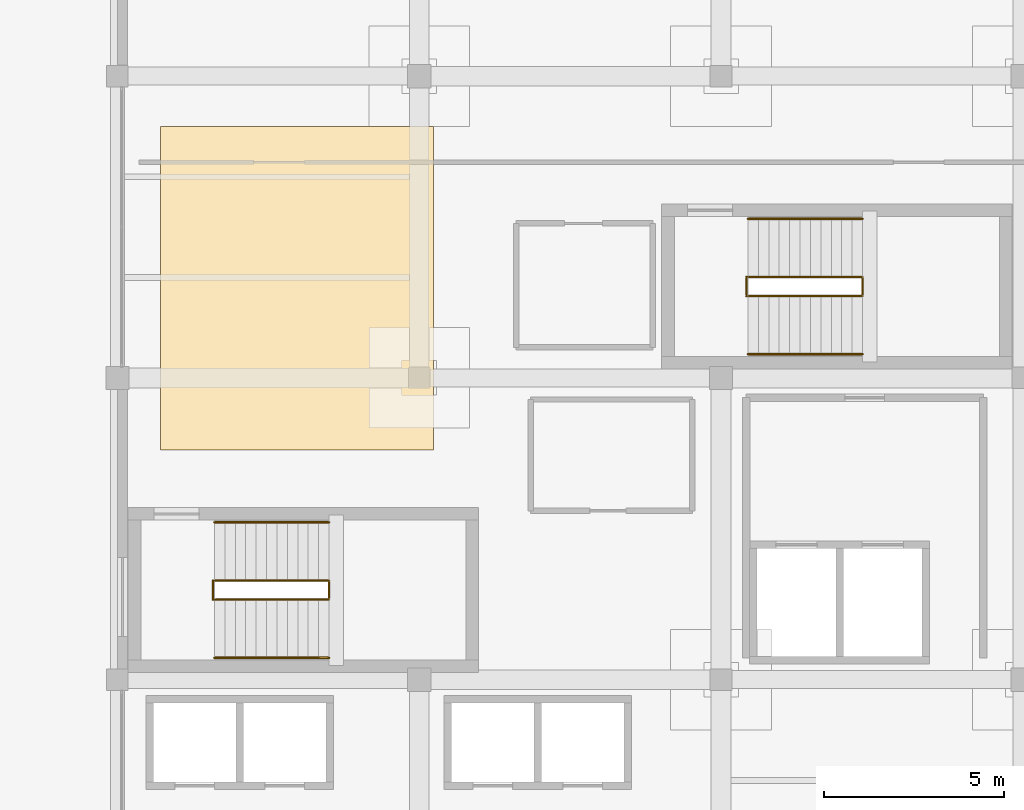
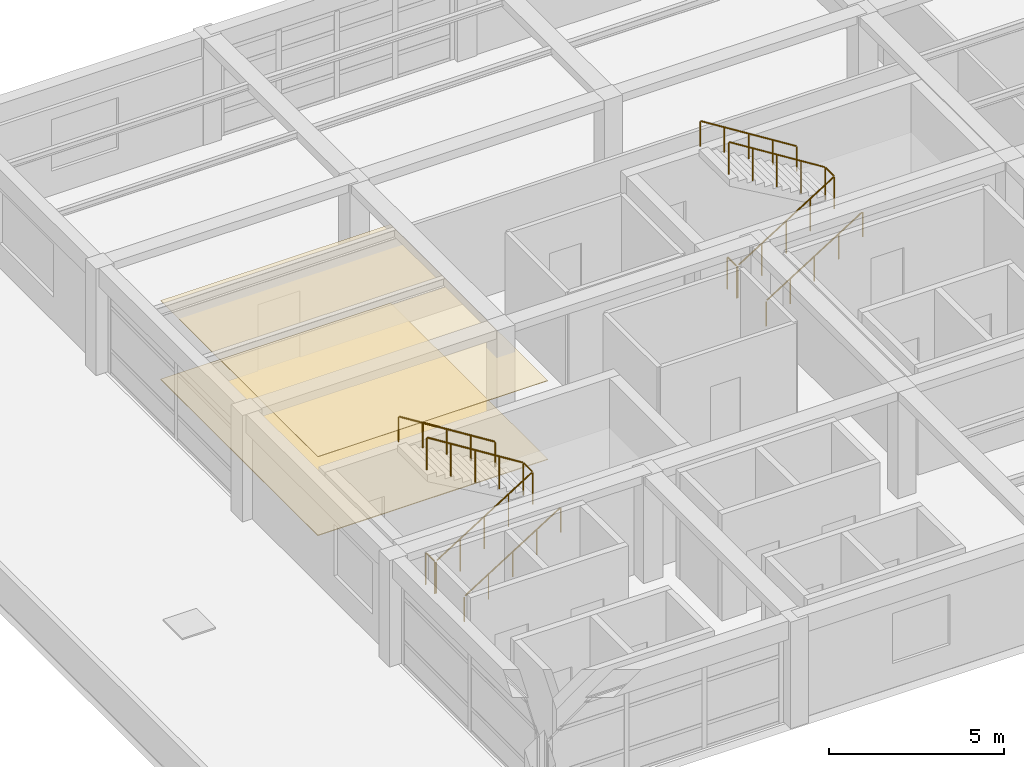
# One storey, part 26 of 26: 8 railings, 2 coverings.
"""IFC4 building model written with IfcOpenShell, lengths in metres."""

from ifc_helpers import new_model, si_unit, direction, frame, origin, origin_2d, place, context, subcontext, project, spatial, polyline, circle, outline, extrude, material, layer, layer_set, type_object, element, save


model = new_model("IFC4")

# Units and contexts
model_context = context("Model", 3, precision=1e-05, world=origin(), true_north=direction((0.0, 1.0)))
body_context = subcontext(model_context, "Body", "Model", "MODEL_VIEW")
ifc_project = project(units=[si_unit("LENGTHUNIT", "METRE"), si_unit("AREAUNIT", "SQUARE_METRE"), si_unit("VOLUMEUNIT", "CUBIC_METRE"), si_unit("PLANEANGLEUNIT", "RADIAN"), si_unit("MASSUNIT", "GRAM", prefix="KILO")], contexts=[model_context])

# Site, building, storey
site_placement = place(None, origin())
site = spatial("IfcSite", under=ifc_project, at=site_placement, CompositionType="ELEMENT")
building_placement = place(site_placement, origin())
building = spatial("IfcBuilding", under=site, at=building_placement, Name="Almacenes y Pasaje Nevantli", CompositionType="ELEMENT")
storey_placement = place(building_placement, frame((0.0, 0.0, 42.699951171875)))
storey = spatial("IfcBuildingStorey", under=building, at=storey_placement, Name="L10", CompositionType="ELEMENT", Elevation=42.699951171875)

# Coverings
ifc_material_1 = material(Name="Perforated Acoustic Mineral Fiber Ceiling", Category="gypsum")
ifc_layer_1 = layer(ifc_material_1, 0.02001953125)
ifc_layer_set_1 = layer_set([ifc_layer_1], Name="Perforated Acoustic Mineral Fiber Ceiling")
covering_type_1 = type_object("IfcCoveringType", Name="COV-CEIL-ACU", PredefinedType="CEILING", material=ifc_layer_set_1)
covering_1_placement = place(storey_placement, frame((0.0, 0.0, 2.75)))
element("IfcCovering", 1, at=covering_1_placement, inside=storey, type_object=covering_type_1, Name="L10 Suspended Acoustic Ceiling Panel", PredefinedType="CEILING", context=body_context, shape_type="SweptSolid", body=[
    extrude(outline(polyline([(118.800048828125, 82.0), (126.39990234375, 82.0), (126.39990234375, 91.0), (118.800048828125, 91.0), (118.800048828125, 82.0)])), origin(), (0.0, 0.0, 1.0), 0.02001953125),
])
ifc_material_2 = material(Name="Polished Toluca Stone Terrazzo Flooring", Category="masonry")
ifc_layer_2 = layer(ifc_material_2, 0.02490234375)
ifc_layer_set_2 = layer_set([ifc_layer_2], Name="Polished Toluca Stone Terrazzo Flooring")
covering_type_2 = type_object("IfcCoveringType", Name="COV-FLR-TERRAZZO", PredefinedType="FLOORING", material=ifc_layer_set_2)
covering_2_placement = place(storey_placement, origin())
element("IfcCovering", 2, at=covering_2_placement, inside=storey, type_object=covering_type_2, Name="L10 Polished Stone Terrazzo Floor Finish", PredefinedType="FLOORING", context=body_context, shape_type="SweptSolid", body=[
    extrude(outline(polyline([(118.800048828125, 82.0), (126.39990234375, 82.0), (126.39990234375, 91.0), (118.800048828125, 91.0), (118.800048828125, 82.0)])), origin(), (0.0, 0.0, 1.0), 0.025146484375),
])

# Railings
ifc_material_3 = material(Name="Brushed Stainless Steel and Tempered Safety Glass", Category="steel")
railing_type_1 = type_object("IfcRailingType", Name="RL-GUARD-1100", PredefinedType="BALUSTRADE", material=ifc_material_3)
railing_1_placement = place(storey_placement, frame((120.300048828125, 77.830078125, 0.0)))
element("IfcRailing", 3, at=railing_1_placement, inside=storey, type_object=railing_type_1, Name="L10 Stair ST-01 Inner Well Guard Balustrade", PredefinedType="BALUSTRADE", context=body_context, shape_type="SweptSolid", body=[
    extrude(circle(Radius=0.02392578125, at=origin_2d()), frame((0.025390625, 0.0, 1.141845703125), z_axis=(0.847247016309, 0.0, 0.531199108955), x_axis=(0.0, 1.0, 0.0)), (0.0, 0.0, 1.0), 3.705078125),
    extrude(circle(Radius=0.02392578125, at=origin_2d()), frame((3.18994140625, 0.030029296875, 3.1259765625), z_axis=(0.0, 1.0, 0.0), x_axis=(-1.0, 0.0, 0.0)), (0.0, 0.0, 1.0), 0.469970703125),
    extrude(circle(Radius=0.02392578125, at=origin_2d()), frame((3.16455078125, 0.530029296875, 3.141845703125), z_axis=(-0.847247016309, 0.0, 0.531199108955), x_axis=(0.0, -1.0, 0.0)), (0.0, 0.0, 1.0), 3.705078125),
    extrude(circle(Radius=0.02099609375, at=origin_2d()), origin(), (0.0, 0.0, 1.0), 1.096923828125),
    extrude(circle(Radius=0.02099609375, at=origin_2d()), frame((0.79736328125, 0.0, 0.5)), (0.0, 0.0, 1.0), 1.096923828125),
    extrude(circle(Radius=0.02099609375, at=origin_2d()), frame((1.594970703125, 0.0, 1.0)), (0.0, 0.0, 1.0), 1.096923828125),
    extrude(circle(Radius=0.02099609375, at=origin_2d()), frame((2.392578125, 0.0, 1.5)), (0.0, 0.0, 1.0), 1.096923828125),
    extrude(circle(Radius=0.02099609375, at=origin_2d()), frame((3.18994140625, 0.0, 2.0)), (0.0, 0.0, 1.0), 1.096923828125),
    extrude(circle(Radius=0.02099609375, at=origin_2d()), frame((3.18994140625, 0.530029296875, 2.0)), (0.0, 0.0, 1.0), 1.096923828125),
    extrude(circle(Radius=0.02099609375, at=origin_2d()), frame((2.392578125, 0.530029296875, 2.5)), (0.0, 0.0, 1.0), 1.096923828125),
    extrude(circle(Radius=0.02099609375, at=origin_2d()), frame((1.594970703125, 0.530029296875, 3.0)), (0.0, 0.0, 1.0), 1.096923828125),
    extrude(circle(Radius=0.02099609375, at=origin_2d()), frame((0.79736328125, 0.530029296875, 3.5)), (0.0, 0.0, 1.0), 1.096923828125),
    extrude(circle(Radius=0.02099609375, at=origin_2d()), frame((0.0, 0.530029296875, 4.0)), (0.0, 0.0, 1.0), 1.096923828125),
])
railing_2_placement = place(storey_placement, frame((120.260009765625, 77.830078125, 0.0)))
element("IfcRailing", 4, at=railing_2_placement, inside=storey, type_object=railing_type_1, Name="L10 Stair ST-01 Landing Well Slot Guard", PredefinedType="BALUSTRADE", context=body_context, shape_type="SweptSolid", body=[
    extrude(circle(Radius=0.02392578125, at=origin_2d()), frame((0.0, 0.030029296875, 1.1259765625), z_axis=(0.0, 1.0, 0.0), x_axis=(-1.0, 0.0, 0.0)), (0.0, 0.0, 1.0), 0.469970703125),
    extrude(circle(Radius=0.02099609375, at=origin_2d()), origin(), (0.0, 0.0, 1.0), 1.096923828125),
    extrude(circle(Radius=0.02099609375, at=origin_2d()), frame((0.0, 0.530029296875, 0.0)), (0.0, 0.0, 1.0), 1.096923828125),
])
railing_3_placement = place(storey_placement, frame((135.14990234375, 86.280029296875, 0.0)))
element("IfcRailing", 5, at=railing_3_placement, inside=storey, type_object=railing_type_1, Name="L10 Stair ST-02 Inner Well Guard Balustrade", PredefinedType="BALUSTRADE", context=body_context, shape_type="SweptSolid", body=[
    extrude(circle(Radius=0.02392578125, at=origin_2d()), frame((0.025390625, 0.0, 1.141845703125), z_axis=(0.847265311894, 0.0, 0.531169926918), x_axis=(0.0, 1.0, 0.0)), (0.0, 0.0, 1.0), 3.705322265625),
    extrude(circle(Radius=0.02392578125, at=origin_2d()), frame((3.190185546875, 0.030029296875, 3.1259765625), z_axis=(0.0, 1.0, 0.0), x_axis=(-1.0, 0.0, 0.0)), (0.0, 0.0, 1.0), 0.469970703125),
    extrude(circle(Radius=0.02392578125, at=origin_2d()), frame((3.164794921875, 0.530029296875, 3.141845703125), z_axis=(-0.847265311894, 0.0, 0.531169926918), x_axis=(0.0, -1.0, 0.0)), (0.0, 0.0, 1.0), 3.705322265625),
    extrude(circle(Radius=0.02099609375, at=origin_2d()), origin(), (0.0, 0.0, 1.0), 1.096923828125),
    extrude(circle(Radius=0.02099609375, at=origin_2d()), frame((0.797607421875, 0.0, 0.5)), (0.0, 0.0, 1.0), 1.096923828125),
    extrude(circle(Radius=0.02099609375, at=origin_2d()), frame((1.59521484375, 0.0, 1.0)), (0.0, 0.0, 1.0), 1.096923828125),
    extrude(circle(Radius=0.02099609375, at=origin_2d()), frame((2.392578125, 0.0, 1.5)), (0.0, 0.0, 1.0), 1.096923828125),
    extrude(circle(Radius=0.02099609375, at=origin_2d()), frame((3.190185546875, 0.0, 2.0)), (0.0, 0.0, 1.0), 1.096923828125),
    extrude(circle(Radius=0.02099609375, at=origin_2d()), frame((3.190185546875, 0.530029296875, 2.0)), (0.0, 0.0, 1.0), 1.096923828125),
    extrude(circle(Radius=0.02099609375, at=origin_2d()), frame((2.392578125, 0.530029296875, 2.5)), (0.0, 0.0, 1.0), 1.096923828125),
    extrude(circle(Radius=0.02099609375, at=origin_2d()), frame((1.59521484375, 0.530029296875, 3.0)), (0.0, 0.0, 1.0), 1.096923828125),
    extrude(circle(Radius=0.02099609375, at=origin_2d()), frame((0.797607421875, 0.530029296875, 3.5)), (0.0, 0.0, 1.0), 1.096923828125),
    extrude(circle(Radius=0.02099609375, at=origin_2d()), frame((0.0, 0.530029296875, 4.0)), (0.0, 0.0, 1.0), 1.096923828125),
])
railing_4_placement = place(storey_placement, frame((135.110107421875, 86.280029296875, 0.0)))
element("IfcRailing", 6, at=railing_4_placement, inside=storey, type_object=railing_type_1, Name="L10 Stair ST-02 Landing Well Slot Guard", PredefinedType="BALUSTRADE", context=body_context, shape_type="SweptSolid", body=[
    extrude(circle(Radius=0.02392578125, at=origin_2d()), frame((0.0, 0.030029296875, 1.1259765625), z_axis=(0.0, 1.0, 0.0), x_axis=(-1.0, 0.0, 0.0)), (0.0, 0.0, 1.0), 0.469970703125),
    extrude(circle(Radius=0.02099609375, at=origin_2d()), origin(), (0.0, 0.0, 1.0), 1.096923828125),
    extrude(circle(Radius=0.02099609375, at=origin_2d()), frame((0.0, 0.530029296875, 0.0)), (0.0, 0.0, 1.0), 1.096923828125),
])
ifc_material_4 = material(Name="Brushed Stainless Steel Tube", Category="steel")
railing_type_2 = type_object("IfcRailingType", Name="RL-HANDRAIL-900", PredefinedType="HANDRAIL", material=ifc_material_4)
railing_5_placement = place(storey_placement, frame((120.300048828125, 76.2099609375, 0.0)))
element("IfcRailing", 7, at=railing_5_placement, inside=storey, type_object=railing_type_2, Name="L10 Stair ST-01 Lower Flight Handrail", PredefinedType="HANDRAIL", context=body_context, shape_type="SweptSolid", body=[
    extrude(circle(Radius=0.02392578125, at=origin_2d()), frame((0.025390625, 0.0, 0.891845703125), z_axis=(0.847247016309, 0.0, 0.531199108955), x_axis=(0.0, 1.0, 0.0)), (0.0, 0.0, 1.0), 3.705078125),
    extrude(circle(Radius=0.02099609375, at=origin_2d()), origin(), (0.0, 0.0, 1.0), 0.846923828125),
    extrude(circle(Radius=0.02099609375, at=origin_2d()), frame((0.79736328125, 0.0, 0.5)), (0.0, 0.0, 1.0), 0.846923828125),
    extrude(circle(Radius=0.02099609375, at=origin_2d()), frame((1.594970703125, 0.0, 1.0)), (0.0, 0.0, 1.0), 0.846923828125),
    extrude(circle(Radius=0.02099609375, at=origin_2d()), frame((2.392578125, 0.0, 1.5)), (0.0, 0.0, 1.0), 0.846923828125),
    extrude(circle(Radius=0.02099609375, at=origin_2d()), frame((3.18994140625, 0.0, 2.0)), (0.0, 0.0, 1.0), 0.846923828125),
])
railing_6_placement = place(storey_placement, frame((123.489990234375, 79.97998046875, 2.0)))
element("IfcRailing", 8, at=railing_6_placement, inside=storey, type_object=railing_type_2, Name="L10 Stair ST-01 Upper Flight Handrail", PredefinedType="HANDRAIL", context=body_context, shape_type="SweptSolid", body=[
    extrude(circle(Radius=0.02392578125, at=origin_2d()), frame((-0.025390625, 0.0, 0.891845703125), z_axis=(-0.847247016309, 0.0, 0.531199108955), x_axis=(0.0, -1.0, 0.0)), (0.0, 0.0, 1.0), 3.705078125),
    extrude(circle(Radius=0.02099609375, at=origin_2d()), origin(), (0.0, 0.0, 1.0), 0.846923828125),
    extrude(circle(Radius=0.02099609375, at=origin_2d()), frame((-0.79736328125, 0.0, 0.5)), (0.0, 0.0, 1.0), 0.846923828125),
    extrude(circle(Radius=0.02099609375, at=origin_2d()), frame((-1.594970703125, 0.0, 1.0)), (0.0, 0.0, 1.0), 0.846923828125),
    extrude(circle(Radius=0.02099609375, at=origin_2d()), frame((-2.392578125, 0.0, 1.5)), (0.0, 0.0, 1.0), 0.846923828125),
    extrude(circle(Radius=0.02099609375, at=origin_2d()), frame((-3.18994140625, 0.0, 2.0)), (0.0, 0.0, 1.0), 0.846923828125),
])
railing_7_placement = place(storey_placement, frame((135.14990234375, 84.659912109375, 0.0)))
element("IfcRailing", 9, at=railing_7_placement, inside=storey, type_object=railing_type_2, Name="L10 Stair ST-02 Lower Flight Handrail", PredefinedType="HANDRAIL", context=body_context, shape_type="SweptSolid", body=[
    extrude(circle(Radius=0.02392578125, at=origin_2d()), frame((0.025390625, 0.0, 0.891845703125), z_axis=(0.847265311894, 0.0, 0.531169926918), x_axis=(0.0, 1.0, 0.0)), (0.0, 0.0, 1.0), 3.705322265625),
    extrude(circle(Radius=0.02099609375, at=origin_2d()), origin(), (0.0, 0.0, 1.0), 0.846923828125),
    extrude(circle(Radius=0.02099609375, at=origin_2d()), frame((0.797607421875, 0.0, 0.5)), (0.0, 0.0, 1.0), 0.846923828125),
    extrude(circle(Radius=0.02099609375, at=origin_2d()), frame((1.59521484375, 0.0, 1.0)), (0.0, 0.0, 1.0), 0.846923828125),
    extrude(circle(Radius=0.02099609375, at=origin_2d()), frame((2.392578125, 0.0, 1.5)), (0.0, 0.0, 1.0), 0.846923828125),
    extrude(circle(Radius=0.02099609375, at=origin_2d()), frame((3.190185546875, 0.0, 2.0)), (0.0, 0.0, 1.0), 0.846923828125),
])
railing_8_placement = place(storey_placement, frame((138.340087890625, 88.429931640625, 2.0)))
element("IfcRailing", 10, at=railing_8_placement, inside=storey, type_object=railing_type_2, Name="L10 Stair ST-02 Upper Flight Handrail", PredefinedType="HANDRAIL", context=body_context, shape_type="SweptSolid", body=[
    extrude(circle(Radius=0.02392578125, at=origin_2d()), frame((-0.025390625, 0.0, 0.891845703125), z_axis=(-0.847265311894, 0.0, 0.531169926918), x_axis=(0.0, -1.0, 0.0)), (0.0, 0.0, 1.0), 3.705322265625),
    extrude(circle(Radius=0.02099609375, at=origin_2d()), origin(), (0.0, 0.0, 1.0), 0.846923828125),
    extrude(circle(Radius=0.02099609375, at=origin_2d()), frame((-0.797607421875, 0.0, 0.5)), (0.0, 0.0, 1.0), 0.846923828125),
    extrude(circle(Radius=0.02099609375, at=origin_2d()), frame((-1.59521484375, 0.0, 1.0)), (0.0, 0.0, 1.0), 0.846923828125),
    extrude(circle(Radius=0.02099609375, at=origin_2d()), frame((-2.392578125, 0.0, 1.5)), (0.0, 0.0, 1.0), 0.846923828125),
    extrude(circle(Radius=0.02099609375, at=origin_2d()), frame((-3.190185546875, 0.0, 2.0)), (0.0, 0.0, 1.0), 0.846923828125),
])

save(model, "model.ifc")
